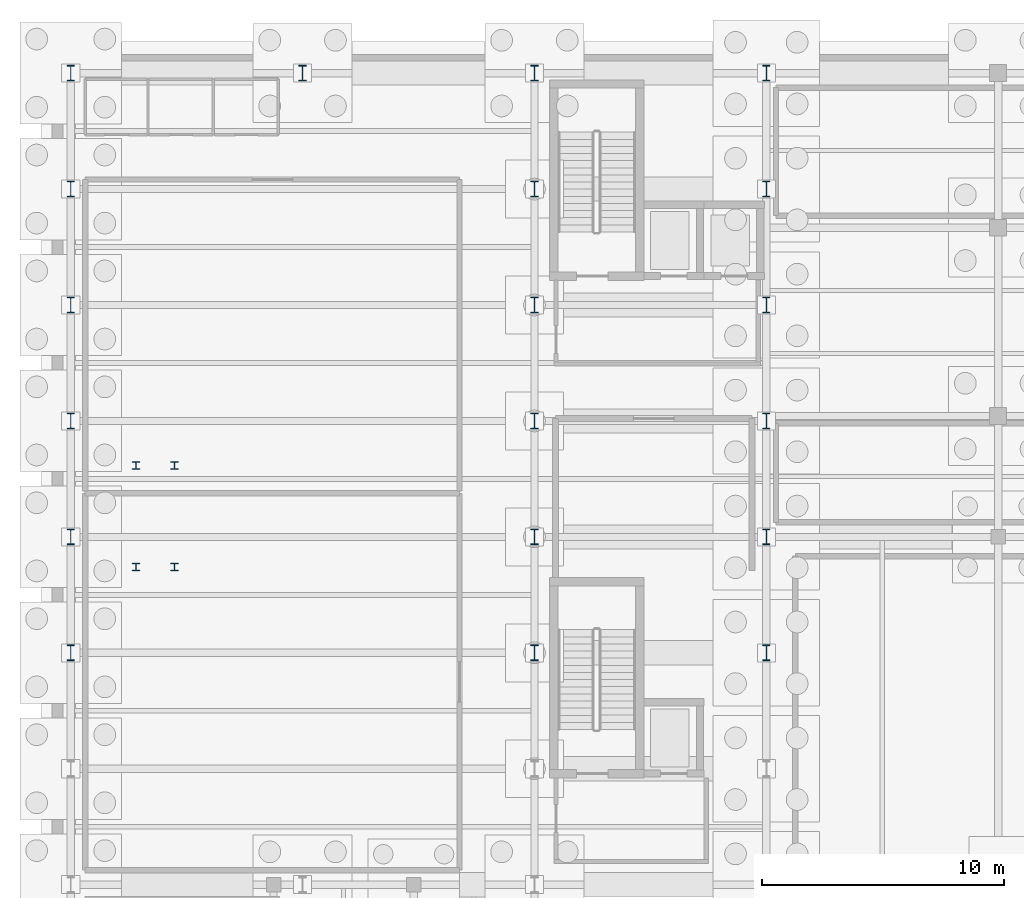
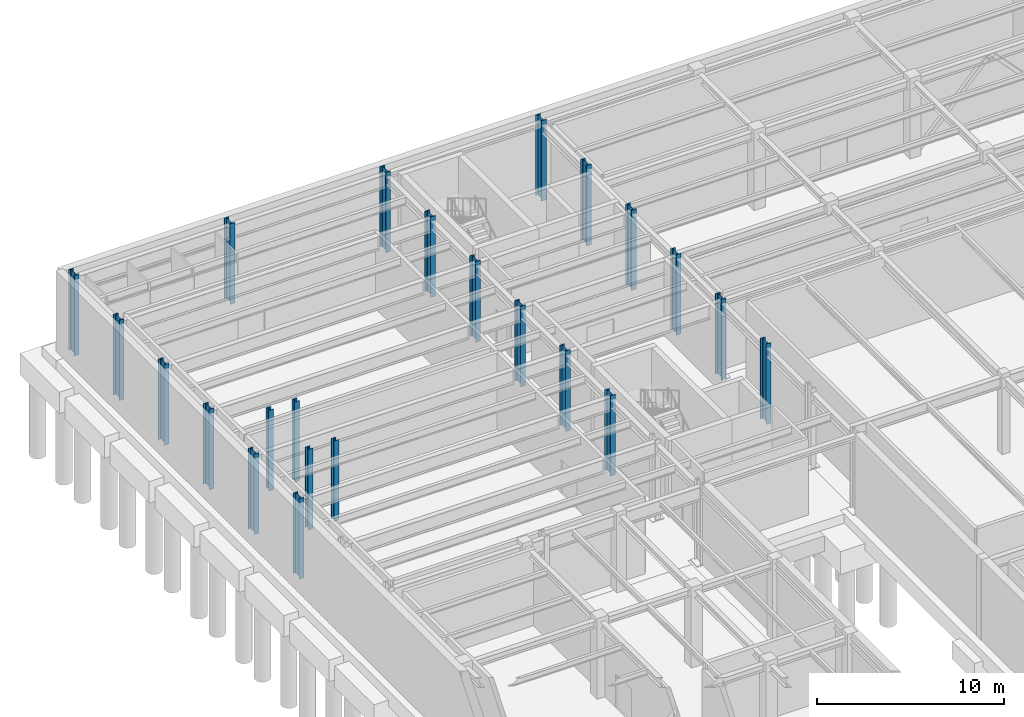
# One storey, part 14 of 33: 23 columns.
"""IFC4 building model written with IfcOpenShell, lengths in metres."""

from ifc_helpers import new_model, si_unit, direction, frame, origin, origin_2d, place, context, subcontext, project, spatial, i_section, extrude, material, material_profile, profile_set, type_object, element, save


model = new_model("IFC4")

# Units and contexts
model_context = context("Model", 3, precision=1e-05, world=origin(), true_north=direction((0.0, 1.0)))
body_context = subcontext(model_context, "Body", "Model", "MODEL_VIEW")
ifc_project = project(units=[si_unit("LENGTHUNIT", "METRE"), si_unit("AREAUNIT", "SQUARE_METRE"), si_unit("VOLUMEUNIT", "CUBIC_METRE"), si_unit("PLANEANGLEUNIT", "RADIAN"), si_unit("MASSUNIT", "GRAM", prefix="KILO")], contexts=[model_context])

# Site, building, storey
site_placement = place(None, origin())
site = spatial("IfcSite", under=ifc_project, at=site_placement, CompositionType="ELEMENT")
building_placement = place(site_placement, origin())
building = spatial("IfcBuilding", under=site, at=building_placement, Name="Nordkorset Police Headquarters", CompositionType="ELEMENT")
storey_placement = place(building_placement, frame((0.0, 0.0, -9.800048828125)))
storey = spatial("IfcBuildingStorey", under=building, at=storey_placement, Name="B02", CompositionType="ELEMENT", Elevation=-9.800048828125)

# Columns
ifc_material_1 = material(Name="Steel S355J2", Category="steel")
ifc_material_profile_1 = material_profile(ifc_material_1, i_section(OverallWidth=0.300048828125, OverallDepth=0.300048828125, WebThickness=0.010986328125, FlangeThickness=0.01904296875, FilletRadius=0.027099609375, at=origin_2d()), Name="HEB 300")
ifc_profile_set_1 = profile_set([ifc_material_profile_1], Name="Steel S355J2")
column_type_1 = type_object("IfcColumnType", Name="Col_HEB_300", PredefinedType="COLUMN", material=ifc_profile_set_1)
for number, where, z_axis, x_axis, name in (
    (1, (2.699951171875, 96.35009765625, 0.0), (0.0, 0.0, 1.0), (1.0, 0.0, 0.0), "Atrium Stair Post B02 1"),
    (2, (4.300048828125, 96.35009765625, 0.0), (0.0, 0.0, 1.0), (1.0, 0.0, 0.0), "Atrium Stair Post B02 2"),
    (3, (2.699951171875, 100.550048828125, 0.0), (0.0, 0.0, 1.0), (1.0, 0.0, 0.0), "Atrium Stair Post B02 3"),
    (4, (4.300048828125, 100.550048828125, 0.0), (0.0, 0.0, 1.0), (1.0, 0.0, 0.0), "Atrium Stair Post B02 4"),
):
    element("IfcColumn", number, at=place(storey_placement, frame(where, z_axis=z_axis, x_axis=x_axis)), inside=storey, type_object=column_type_1, Name=name, PredefinedType="COLUMN", context=body_context, shape_type="SweptSolid", body=[
        extrude(i_section(OverallWidth=0.300048828125, OverallDepth=0.300048828125, WebThickness=0.010986328125, FlangeThickness=0.01904296875, FilletRadius=0.027099609375, at=origin_2d()), origin(), (0.0, 0.0, 1.0), 5.25),
    ])
ifc_material_2 = material(Name="Steel S355J2", Category="steel")
ifc_material_profile_2 = material_profile(ifc_material_2, i_section(OverallWidth=0.300048828125, OverallDepth=0.64990234375, WebThickness=0.01611328125, FlangeThickness=0.031005859375, FilletRadius=0.027099609375, at=origin_2d()), Name="HEB 650")
ifc_profile_set_2 = profile_set([ifc_material_profile_2], Name="Steel S355J2")
column_type_2 = type_object("IfcColumnType", Name="Col_HEB_650", PredefinedType="COLUMN", material=ifc_profile_set_2)
for number, where, z_axis, x_axis, name in (
    (5, (0.0, 92.800048828125, 0.0), (0.0, 0.0, 1.0), (1.0, 0.0, 0.0), "Structural Column V1_W_2 B02"),
    (6, (28.800048828125, 92.800048828125, 0.0), (0.0, 0.0, 1.0), (1.0, 0.0, 0.0), "Structural Column V1_E_2 B02"),
    (7, (0.0, 97.60009765625, 0.0), (0.0, 0.0, 1.0), (1.0, 0.0, 0.0), "Structural Column V1_W_3 B02"),
    (8, (28.800048828125, 97.60009765625, 0.0), (0.0, 0.0, 1.0), (1.0, 0.0, 0.0), "Structural Column V1_E_3 B02"),
    (9, (0.0, 102.39990234375, 0.0), (0.0, 0.0, 1.0), (1.0, 0.0, 0.0), "Structural Column V1_W_4 B02"),
    (10, (28.800048828125, 102.39990234375, 0.0), (0.0, 0.0, 1.0), (1.0, 0.0, 0.0), "Structural Column V1_E_4 B02"),
    (11, (0.0, 107.199951171875, 0.0), (0.0, 0.0, 1.0), (1.0, 0.0, 0.0), "Structural Column V1_W_5 B02"),
    (12, (28.800048828125, 107.199951171875, 0.0), (0.0, 0.0, 1.0), (1.0, 0.0, 0.0), "Structural Column V1_E_5 B02"),
    (13, (0.0, 112.0, 0.0), (0.0, 0.0, 1.0), (1.0, 0.0, 0.0), "Structural Column V1_W_6 B02"),
    (14, (28.800048828125, 112.0, 0.0), (0.0, 0.0, 1.0), (1.0, 0.0, 0.0), "Structural Column V1_E_6 B02"),
    (15, (0.0, 116.800048828125, 0.0), (0.0, 0.0, 1.0), (1.0, 0.0, 0.0), "Structural Column V1_W_7 B02"),
    (16, (28.800048828125, 116.800048828125, 0.0), (0.0, 0.0, 1.0), (1.0, 0.0, 0.0), "Structural Column V1_E_7 B02"),
    (17, (9.60009765625, 116.800048828125, 0.0), (0.0, 0.0, 1.0), (1.0, 0.0, 0.0), "Structural Column V1_N_0 B02"),
    (18, (19.199951171875, 116.800048828125, 0.0), (0.0, 0.0, 1.0), (1.0, 0.0, 0.0), "Structural Column V1_N_1 B02"),
    (19, (19.199951171875, 92.800048828125, 0.0), (0.0, 0.0, 1.0), (1.0, 0.0, 0.0), "Structural Column V1_CW_1 B02"),
    (20, (19.199951171875, 97.60009765625, 0.0), (0.0, 0.0, 1.0), (1.0, 0.0, 0.0), "Structural Column V1_CW_2 B02"),
    (21, (19.199951171875, 102.39990234375, 0.0), (0.0, 0.0, 1.0), (1.0, 0.0, 0.0), "Structural Column V1_CW_3 B02"),
    (22, (19.199951171875, 107.199951171875, 0.0), (0.0, 0.0, 1.0), (1.0, 0.0, 0.0), "Structural Column V1_CW_4 B02"),
    (23, (19.199951171875, 112.0, 0.0), (0.0, 0.0, 1.0), (1.0, 0.0, 0.0), "Structural Column V1_CW_5 B02"),
):
    element("IfcColumn", number, at=place(storey_placement, frame(where, z_axis=z_axis, x_axis=x_axis)), inside=storey, type_object=column_type_2, Name=name, PredefinedType="COLUMN", context=body_context, shape_type="SweptSolid", body=[
        extrude(i_section(OverallWidth=0.300048828125, OverallDepth=0.64990234375, WebThickness=0.01611328125, FlangeThickness=0.031005859375, FilletRadius=0.027099609375, at=origin_2d()), origin(), (0.0, 0.0, 1.0), 5.25),
    ])

save(model, "model.ifc")
